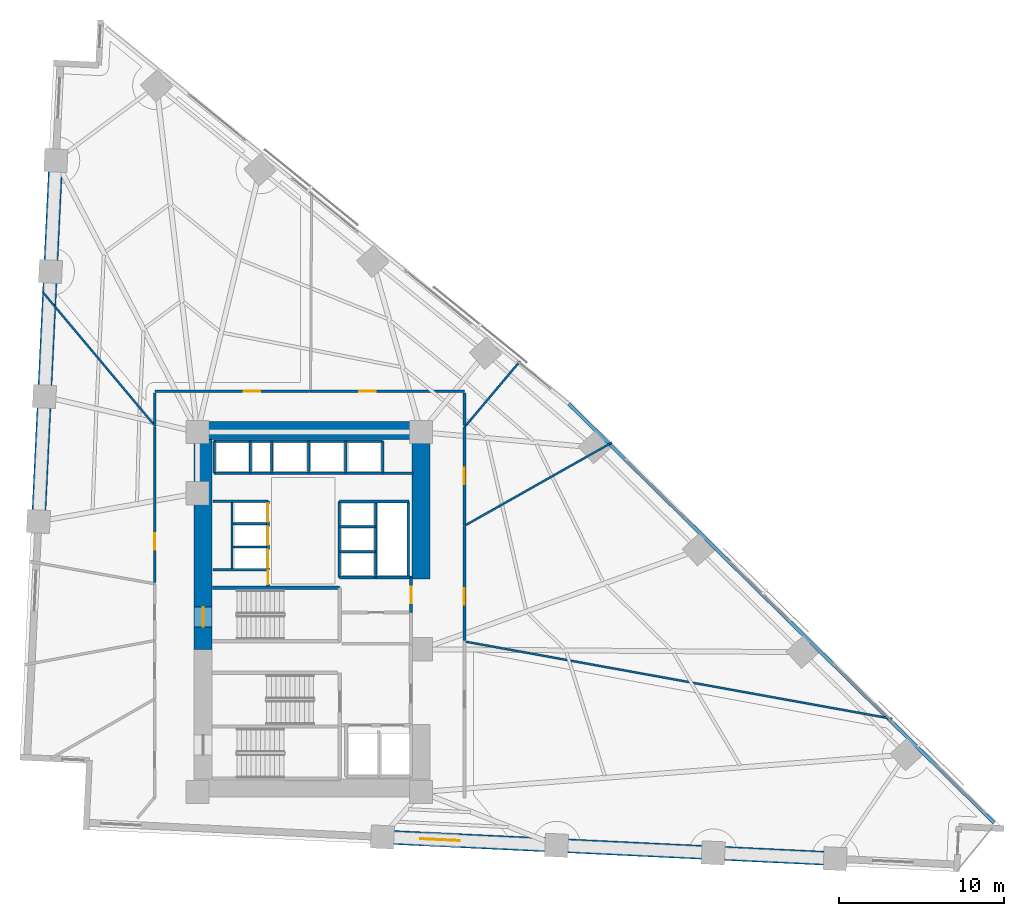
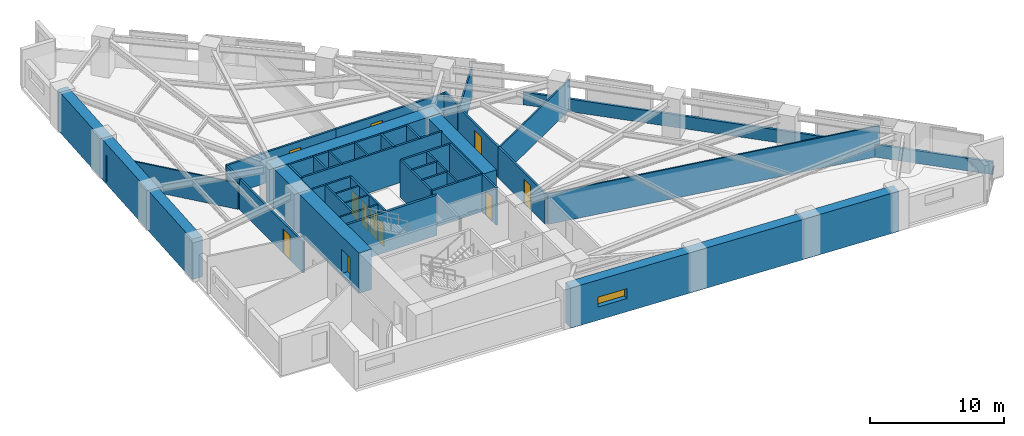
# One storey, part 14 of 17: 41 walls, 11 doors, 1 window, 12 openings.
"""IFC4 building model written with IfcOpenShell, lengths in metres."""

import ifcopenshell
import ifcopenshell.guid

model = None  # the IFC model being written
_history = None  # IfcOwnerHistory: only IFC2X3 demands one
_inside = {}  # id of a spatial element -> (the spatial element, [elements in it])
_under = {}  # id of a project, library or spatial element -> (it, [spatial elements below it])
_declared = {}  # id of a project -> (the project, [libraries it declares])
_typed = {}  # id of a type object -> (the type object, [elements of that type])
_made_of = {}  # id of a material, layer set ... -> (it, [elements and type objects made of it])


def new_model(schema):
    """Start an empty IFC model of exactly this schema.

    Asked for "IFC4X3", IfcOpenShell would pick the latest addendum, in which some entities
    have other attributes; the version numbers below select the first issue.
    IFC2X3 requires an IfcOwnerHistory on every rooted entity: one is made here for all.
    """
    global model, _history
    if schema == "IFC4X3":
        model = ifcopenshell.file(schema_version=(4, 3, 0, 0))
    else:
        model = ifcopenshell.file(schema=schema)
    _inside.clear()
    _under.clear()
    _declared.clear()
    _typed.clear()
    _made_of.clear()
    _history = None
    if model.schema == "IFC2X3":
        org = make("IfcOrganization", Name="unknown")
        user = make(
            "IfcPersonAndOrganization",
            ThePerson=make("IfcPerson", FamilyName="unknown"),
            TheOrganization=org,
        )
        app = make(
            "IfcApplication",
            ApplicationDeveloper=org,
            Version="unknown",
            ApplicationFullName="unknown",
            ApplicationIdentifier="unknown",
        )
        _history = make(
            "IfcOwnerHistory",
            OwningUser=user,
            OwningApplication=app,
            ChangeAction="ADDED",
            CreationDate=0,
        )
    return model


def make(cls, **values):
    """One entity of the class cls with the attributes given. An attribute that is None is left unset."""
    return model.create_entity(
        cls, **{name: value for name, value in values.items() if value is not None}
    )


def rooted(cls, **values):
    """An entity with a GlobalId (a new one), such as an element, a storey or a relation."""
    return make(cls, GlobalId=ifcopenshell.guid.new(), OwnerHistory=_history, **values)


def si_unit(unit_type, name, prefix=None):
    """IfcSIUnit, for example si_unit("LENGTHUNIT", "METRE", prefix="MILLI")."""
    return make("IfcSIUnit", UnitType=unit_type, Prefix=prefix, Name=name)


def assignment(units):
    """IfcUnitAssignment: the units of a project."""
    return None if units is None else make("IfcUnitAssignment", Units=units)


def point(xyz):
    """IfcCartesianPoint."""
    return None if xyz is None else make("IfcCartesianPoint", Coordinates=xyz)


def direction(xyz):
    """IfcDirection."""
    return None if xyz is None else make("IfcDirection", DirectionRatios=xyz)


def frame(location, z_axis=None, x_axis=None):
    """IfcAxis2Placement3D, a coordinate frame: its origin and axes. An axis left out is left unset."""
    return make(
        "IfcAxis2Placement3D",
        Location=point(location),
        Axis=direction(z_axis),
        RefDirection=direction(x_axis),
    )


def frame_2d(location, x_axis=None):
    """IfcAxis2Placement2D, a coordinate frame in the plane: its origin and x axis."""
    return make(
        "IfcAxis2Placement2D", Location=point(location), RefDirection=direction(x_axis)
    )


def origin():
    """The frame at (0, 0, 0) with its axes left unset."""
    return frame((0.0, 0.0, 0.0))


def place(relative_to, where):
    """IfcLocalPlacement: puts the frame where relative to a parent placement (None: the world)."""
    return make(
        "IfcLocalPlacement", PlacementRelTo=relative_to, RelativePlacement=where
    )


def context(
    kind, dimensions, precision=None, world=None, true_north=None, identifier=None
):
    """IfcGeometricRepresentationContext, for example the 3D "Model" context."""
    return make(
        "IfcGeometricRepresentationContext",
        ContextIdentifier=identifier,
        ContextType=kind,
        CoordinateSpaceDimension=dimensions,
        Precision=precision,
        WorldCoordinateSystem=world,
        TrueNorth=true_north,
    )


def subcontext(parent, identifier, kind, view, scale=None):
    """IfcGeometricRepresentationSubContext, for example "Body" below "Model"."""
    return make(
        "IfcGeometricRepresentationSubContext",
        ContextIdentifier=identifier,
        ContextType=kind,
        ParentContext=parent,
        TargetScale=scale,
        TargetView=view,
    )


def project(units=None, contexts=None):
    """IfcProject with its units and contexts."""
    return rooted(
        "IfcProject",
        Name="project",
        RepresentationContexts=contexts,
        UnitsInContext=assignment(units),
    )


def spatial(cls, under=None, at=None, **own):
    """A site, building, storey or space (cls), placed at a placement, below another one or the project."""
    s = rooted(cls, ObjectPlacement=at, **own)
    if under is not None:
        _under.setdefault(under.id(), (under, []))[1].append(s)
    return s


def profile(cls, at=None, kind="AREA", **sizes):
    """A parametric profile (cls). Its sizes go by their IFC names, for example OverallWidth=200.0."""
    return make(cls, ProfileType=kind, Position=at, **sizes)


def rectangle(**sizes):
    """IfcRectangleProfileDef."""
    return profile("IfcRectangleProfileDef", **sizes)


def extrude(swept, where, along, depth):
    """IfcExtrudedAreaSolid: the profile swept, set in the frame where, extruded along a direction by depth."""
    return make(
        "IfcExtrudedAreaSolid",
        SweptArea=swept,
        Position=where,
        ExtrudedDirection=direction(along),
        Depth=depth,
    )


def shape(context_of_items, identifier, shape_type, items):
    """IfcShapeRepresentation: the items that make up one representation, for example the "Body"."""
    return make(
        "IfcShapeRepresentation",
        ContextOfItems=context_of_items,
        RepresentationIdentifier=identifier,
        RepresentationType=shape_type,
        Items=items,
    )


def material(Name=None, Category=None):
    """IfcMaterial."""
    return make("IfcMaterial", Name=Name, Category=Category)


def layer(
    of_material, thickness, ventilated=None, Name=None, Category=None, Priority=None
):
    """IfcMaterialLayer: one layer of a wall or slab, of a material (None: an air gap)."""
    return make(
        "IfcMaterialLayer",
        Material=of_material,
        LayerThickness=thickness,
        IsVentilated=ventilated,
        Name=Name,
        Category=Category,
        Priority=Priority,
    )


def layer_set(layers, Name=None):
    """IfcMaterialLayerSet."""
    return make("IfcMaterialLayerSet", MaterialLayers=layers, LayerSetName=Name)


def made_of(thing, what):
    """Note that an element or type object is made of a material, layer set ...; save() writes the relation."""
    if what is not None:
        _made_of.setdefault(what.id(), (what, []))[1].append(thing)
    return thing


def type_object(cls, material=None, **own):
    """A type object (cls), such as IfcWallType, which elements share."""
    return made_of(rooted(cls, **own), material)


def element(
    cls,
    number,
    at=None,
    inside=None,
    cuts=None,
    type_object=None,
    material=None,
    context=None,
    identifier="Body",
    shape_type=None,
    held_by="IfcProductDefinitionShape",
    body=None,
    shapes=None,
    **own,
):
    """One element of the class cls, such as IfcWall. Its Tag is "e" and its number.

    at: its placement. inside: the storey or other place that contains it. cuts: it is an
    opening in that element (IfcRelVoidsElement). A single representation is given by context,
    identifier, shape_type and body (its items); several are given by shapes. held_by: the class
    of the entity that holds the representations. save() writes the other relations.
    """
    e = rooted(cls, Tag="e%d" % number, ObjectPlacement=at, **own)
    if body is not None:
        shapes = [shape(context, identifier, shape_type, body)]
    if shapes is not None:
        e.Representation = make(held_by, Representations=shapes)
    if inside is not None:
        _inside.setdefault(inside.id(), (inside, []))[1].append(e)
    if cuts is not None:
        rooted(
            "IfcRelVoidsElement", RelatingBuildingElement=cuts, RelatedOpeningElement=e
        )
    if type_object is not None:
        _typed.setdefault(type_object.id(), (type_object, []))[1].append(e)
    return made_of(e, material)


def fill(opening, filler):
    """IfcRelFillsElement: the door or window that sits in an opening."""
    return rooted(
        "IfcRelFillsElement",
        RelatingOpeningElement=opening,
        RelatedBuildingElement=filler,
    )


def aggregate(whole, parts):
    """IfcRelAggregates: a whole, such as a stair, and the parts it consists of."""
    return rooted("IfcRelAggregates", RelatingObject=whole, RelatedObjects=parts)


def save(model, path):
    """Write the relations noted so far, then the file.

    IfcRelAggregates (storeys below a building ...), IfcRelContainedInSpatialStructure (elements
    in a storey), IfcRelDefinesByType, IfcRelAssociatesMaterial and IfcRelDeclares: one each for
    every whole, place, type object, material and project.
    """
    for whole, parts in _under.values():
        aggregate(whole, parts)
    for where, things in _inside.values():
        rooted(
            "IfcRelContainedInSpatialStructure",
            RelatedElements=things,
            RelatingStructure=where,
        )
    for kind, things in _typed.values():
        rooted("IfcRelDefinesByType", RelatedObjects=things, RelatingType=kind)
    for what, things in _made_of.values():
        rooted("IfcRelAssociatesMaterial", RelatedObjects=things, RelatingMaterial=what)
    for by, libraries in _declared.values():
        rooted("IfcRelDeclares", RelatingContext=by, RelatedDefinitions=libraries)
    model.write(path)


model = new_model("IFC4")

# Units and contexts
model_context = context("Model", 3, precision=1e-05, world=origin(), true_north=direction((0.0, 1.0)))
body_context = subcontext(model_context, "Body", "Model", "MODEL_VIEW")
ifc_project = project(units=[si_unit("LENGTHUNIT", "METRE"), si_unit("AREAUNIT", "SQUARE_METRE"), si_unit("VOLUMEUNIT", "CUBIC_METRE"), si_unit("PLANEANGLEUNIT", "RADIAN"), si_unit("MASSUNIT", "GRAM", prefix="KILO")], contexts=[model_context])

# Site, building, storey
site_placement = place(None, origin())
site = spatial("IfcSite", under=ifc_project, at=site_placement, CompositionType="ELEMENT")
building_placement = place(site_placement, origin())
building = spatial("IfcBuilding", under=site, at=building_placement, Name="Narakoshi Arena Tower", CompositionType="ELEMENT")
storey_placement = place(building_placement, frame((0.0, 0.0, 37.5)))
storey = spatial("IfcBuildingStorey", under=building, at=storey_placement, Name="L09", CompositionType="ELEMENT", Elevation=37.5)

# Wall, opening, door
ifc_material_1 = material(Name="Concrete C60/75", Category="concrete")
ifc_layer_1 = layer(ifc_material_1, 1.10009765625)
ifc_layer_set_1 = layer_set([ifc_layer_1], Name="Concrete C60/75")
wall_type_1 = type_object("IfcWallType", Name="WL-CORE-1100", PredefinedType="SHEAR", material=ifc_layer_set_1)
wall_1_placement = place(storey_placement, frame((72.35009765625, 43.35009765625, -0.260009765625), z_axis=(0.0, 0.0, 1.0), x_axis=(0.0, 1.0, 0.0)))
wall_1 = element("IfcWall", 1, at=wall_1_placement, inside=storey, type_object=wall_type_1, Name="L09 Main Core Shear Wall CW-MN-W", PredefinedType="SHEAR", context=body_context, shape_type="SweptSolid", body=[
    extrude(rectangle(XDim=12.699951171875, YDim=1.10009765625, at=frame_2d((6.35009765625, 0.0))), origin(), (0.0, 0.0, 1.0), 3.659912109375),
])
opening_1_placement = place(wall_1_placement, frame((1.35009765625, 0.0, 0.260009765625)))
opening_1 = element("IfcOpeningElement", 2, at=opening_1_placement, cuts=wall_1, Name="Opening D-03", PredefinedType="OPENING", context=body_context, shape_type="SweptSolid", body=[
    extrude(rectangle(XDim=1.199951171875, YDim=2.199951171875, at=frame_2d((0.60009765625, 1.10009765625))), frame((0.0, 0.56005859375, 0.0), z_axis=(0.0, -1.0, 0.0), x_axis=(1.0, 0.0, 0.0)), (0.0, 0.0, 1.0), 1.1201171875),
])
ifc_material_2 = material(Name="Painted galvanized steel", Category="steel")
door_type_1 = type_object("IfcDoorType", Name="DR-STR-1200", OperationType="NOTDEFINED", PredefinedType="USERDEFINED", material=ifc_material_2)
door_1_placement = place(opening_1_placement, frame((1.199951171875, 0.0, 0.0), z_axis=(0.0, 0.0, 1.0), x_axis=(-1.0, 0.0, 0.0)))
door_1 = element("IfcDoor", 3, at=door_1_placement, inside=storey, type_object=door_type_1, Name="DR-L09-007", ObjectType="EXITDOOR", OperationType="SINGLE_SWING_LEFT", OverallHeight=2.199951171875, OverallWidth=1.199951171875, PredefinedType="USERDEFINED", context=body_context, shape_type="SweptSolid", body=[
    extrude(rectangle(XDim=1.199951171875, YDim=2.199951171875, at=frame_2d((0.60009765625, 1.10009765625))), frame((0.0, 0.02490234375, 0.0), z_axis=(0.0, -1.0, 0.0), x_axis=(1.0, 0.0, 0.0)), (0.0, 0.0, 1.0), 0.050048828125),
])
fill(opening_1, door_1)

# Walls
wall_2_placement = place(storey_placement, frame((71.800048828125, 56.60009765625, -0.260009765625), z_axis=(0.0, 0.0, 1.0), x_axis=(1.0, 0.0, 0.0)))
element("IfcWall", 4, at=wall_2_placement, inside=storey, type_object=wall_type_1, Name="L09 Main Core Shear Wall CW-MN-N", PredefinedType="SHEAR", context=body_context, shape_type="SweptSolid", body=[
    extrude(rectangle(XDim=14.300048828125, YDim=1.10009765625, at=frame_2d((7.14990234375, 0.0))), origin(), (0.0, 0.0, 1.0), 3.659912109375),
])
wall_3_placement = place(storey_placement, frame((85.550048828125, 47.60009765625, -0.260009765625), z_axis=(0.0, 0.0, 1.0), x_axis=(0.0, 1.0, 0.0)))
element("IfcWall", 5, at=wall_3_placement, inside=storey, type_object=wall_type_1, Name="L09 Main Core Shear Wall CW-MN-E", PredefinedType="SHEAR", context=body_context, shape_type="SweptSolid", body=[
    extrude(rectangle(XDim=8.449951171875, YDim=1.10009765625, at=frame_2d((4.22509765625, 0.0))), origin(), (0.0, 0.0, 1.0), 3.659912109375),
])

# Wall, opening, door
ifc_material_3 = material(Name="Gypsum plasterboard fire-rated partition")
ifc_layer_2 = layer(ifc_material_3, 0.1650390625)
ifc_layer_set_2 = layer_set([ifc_layer_2], Name="Gypsum plasterboard fire-rated partition")
wall_type_2 = type_object("IfcWallType", Name="WL-CORR-165", PredefinedType="PARTITIONING", material=ifc_layer_set_2)
wall_4_placement = place(storey_placement, frame((84.949951171875, 45.580078125, 0.0), z_axis=(0.0, 0.0, 1.0), x_axis=(0.0, 1.0, 0.0)))
wall_4 = element("IfcWall", 6, at=wall_4_placement, inside=storey, type_object=wall_type_2, Name="L09 Core Wall CPAS-E", PredefinedType="PARTITIONING", context=body_context, shape_type="SweptSolid", body=[
    extrude(rectangle(XDim=2.119873046875, YDim=0.1650390625, at=frame_2d((1.06005859375, 0.0))), origin(), (0.0, 0.0, 1.0), 3.39990234375),
])
opening_2_placement = place(wall_4_placement, frame((0.56005859375, 0.0, 0.0)))
opening_2 = element("IfcOpeningElement", 7, at=opening_2_placement, cuts=wall_4, Name="Opening D-06", PredefinedType="OPENING", context=body_context, shape_type="SweptSolid", body=[
    extrude(rectangle(XDim=1.0, YDim=2.199951171875, at=frame_2d((0.5, 1.10009765625))), frame((0.0, 0.092529296875, 0.0), z_axis=(0.0, -1.0, 0.0), x_axis=(1.0, 0.0, 0.0)), (0.0, 0.0, 1.0), 0.18505859375),
])
ifc_material_4 = material(Name="Stained oak solid-core timber", Category="wood")
door_type_2 = type_object("IfcDoorType", Name="DR-OFF-1000", OperationType="NOTDEFINED", PredefinedType="DOOR", material=ifc_material_4)
door_2_placement = place(opening_2_placement, frame((1.0, 0.0, 0.0), z_axis=(0.0, 0.0, 1.0), x_axis=(-1.0, 0.0, 0.0)))
door_2 = element("IfcDoor", 8, at=door_2_placement, inside=storey, type_object=door_type_2, Name="DR-L09-008", OperationType="SINGLE_SWING_LEFT", OverallHeight=2.199951171875, OverallWidth=1.0, PredefinedType="DOOR", context=body_context, shape_type="SweptSolid", body=[
    extrude(rectangle(XDim=1.0, YDim=2.199951171875, at=frame_2d((0.5, 1.10009765625))), frame((0.0, 0.02490234375, 0.0), z_axis=(0.0, -1.0, 0.0), x_axis=(1.0, 0.0, 0.0)), (0.0, 0.0, 1.0), 0.050048828125),
])
fill(opening_2, door_2)

wall_5_placement = place(storey_placement, frame((88.177978515625, 43.882568359375, 0.0), z_axis=(0.0, 0.0, 1.0), x_axis=(0.0, 1.0, 0.0)))
wall_5 = element("IfcWall", 9, at=wall_5_placement, inside=storey, type_object=wall_type_2, Name="L09 Corridor Partition 05-1", PredefinedType="PARTITIONING", context=body_context, shape_type="SweptSolid", body=[
    extrude(rectangle(XDim=6.977294921875, YDim=0.1650390625, at=frame_2d((3.48876953125, 0.0))), origin(), (0.0, 0.0, 1.0), 2.784912109375),
])
opening_3_placement = place(wall_5_placement, frame((2.152099609375, 0.0, 0.0)))
opening_3 = element("IfcOpeningElement", 10, at=opening_3_placement, cuts=wall_5, Name="Opening D-06", PredefinedType="OPENING", context=body_context, shape_type="SweptSolid", body=[
    extrude(rectangle(XDim=1.0, YDim=2.199951171875, at=frame_2d((0.5, 1.10009765625))), frame((0.0, 0.092529296875, 0.0), z_axis=(0.0, -1.0, 0.0), x_axis=(1.0, 0.0, 0.0)), (0.0, 0.0, 1.0), 0.18505859375),
])
door_3_placement = place(opening_3_placement, frame((1.0, 0.0, 0.0), z_axis=(0.0, 0.0, 1.0), x_axis=(-1.0, 0.0, 0.0)))
door_3 = element("IfcDoor", 11, at=door_3_placement, inside=storey, type_object=door_type_2, Name="DR-L09-018", OperationType="SINGLE_SWING_LEFT", OverallHeight=2.199951171875, OverallWidth=1.0, PredefinedType="DOOR", context=body_context, shape_type="SweptSolid", body=[
    extrude(rectangle(XDim=1.0, YDim=2.199951171875, at=frame_2d((0.5, 1.10009765625))), frame((0.0, 0.02490234375, 0.0), z_axis=(0.0, -1.0, 0.0), x_axis=(1.0, 0.0, 0.0)), (0.0, 0.0, 1.0), 0.050048828125),
])
fill(opening_3, door_3)

wall_6_placement = place(storey_placement, frame((88.177978515625, 50.88720703125, 0.0), z_axis=(0.0, 0.0, 1.0), x_axis=(0.0, 1.0, 0.0)))
wall_6 = element("IfcWall", 12, at=wall_6_placement, inside=storey, type_object=wall_type_2, Name="L09 Corridor Partition 06-1", PredefinedType="PARTITIONING", context=body_context, shape_type="SweptSolid", body=[
    extrude(rectangle(XDim=5.93017578125, YDim=0.1650390625, at=frame_2d((2.965087890625, 0.0))), origin(), (0.0, 0.0, 1.0), 2.784912109375),
])
opening_4_placement = place(wall_6_placement, frame((2.465087890625, 0.0, 0.0)))
opening_4 = element("IfcOpeningElement", 13, at=opening_4_placement, cuts=wall_6, Name="Opening D-06", PredefinedType="OPENING", context=body_context, shape_type="SweptSolid", body=[
    extrude(rectangle(XDim=1.0, YDim=2.199951171875, at=frame_2d((0.5, 1.10009765625))), frame((0.0, 0.092529296875, 0.0), z_axis=(0.0, -1.0, 0.0), x_axis=(1.0, 0.0, 0.0)), (0.0, 0.0, 1.0), 0.18505859375),
])
door_4_placement = place(opening_4_placement, frame((1.0, 0.0, 0.0), z_axis=(0.0, 0.0, 1.0), x_axis=(-1.0, 0.0, 0.0)))
door_4 = element("IfcDoor", 14, at=door_4_placement, inside=storey, type_object=door_type_2, Name="DR-L09-019", OperationType="SINGLE_SWING_RIGHT", OverallHeight=2.199951171875, OverallWidth=1.0, PredefinedType="DOOR", context=body_context, shape_type="SweptSolid", body=[
    extrude(rectangle(XDim=1.0, YDim=2.199951171875, at=frame_2d((0.5, 1.10009765625))), frame((0.0, 0.02490234375, 0.0), z_axis=(0.0, -1.0, 0.0), x_axis=(1.0, 0.0, 0.0)), (0.0, 0.0, 1.0), 0.050048828125),
])
fill(opening_4, door_4)

wall_7_placement = place(storey_placement, frame((88.177978515625, 58.972412109375, 0.0), z_axis=(0.0, 0.0, 1.0), x_axis=(-1.0, 0.0, 0.0)))
wall_7 = element("IfcWall", 15, at=wall_7_placement, inside=storey, type_object=wall_type_2, Name="L09 Corridor Partition 07-1", PredefinedType="PARTITIONING", context=body_context, shape_type="SweptSolid", body=[
    extrude(rectangle(XDim=9.354248046875, YDim=0.1650390625, at=frame_2d((4.67724609375, 0.0))), origin(), (0.0, 0.0, 1.0), 2.784912109375),
])
opening_5_placement = place(wall_7_placement, frame((5.370361328125, 0.0, 0.0)))
opening_5 = element("IfcOpeningElement", 16, at=opening_5_placement, cuts=wall_7, Name="Opening D-06", PredefinedType="OPENING", context=body_context, shape_type="SweptSolid", body=[
    extrude(rectangle(XDim=1.0, YDim=2.199951171875, at=frame_2d((0.5, 1.10009765625))), frame((0.0, 0.092529296875, 0.0), z_axis=(0.0, -1.0, 0.0), x_axis=(1.0, 0.0, 0.0)), (0.0, 0.0, 1.0), 0.18505859375),
])
door_5_placement = place(opening_5_placement, frame((1.0, 0.0, 0.0), z_axis=(0.0, 0.0, 1.0), x_axis=(-1.0, 0.0, 0.0)))
door_5 = element("IfcDoor", 17, at=door_5_placement, inside=storey, type_object=door_type_2, Name="DR-L09-020", OperationType="SINGLE_SWING_LEFT", OverallHeight=2.199951171875, OverallWidth=1.0, PredefinedType="DOOR", context=body_context, shape_type="SweptSolid", body=[
    extrude(rectangle(XDim=1.0, YDim=2.199951171875, at=frame_2d((0.5, 1.10009765625))), frame((0.0, 0.02490234375, 0.0), z_axis=(0.0, -1.0, 0.0), x_axis=(1.0, 0.0, 0.0)), (0.0, 0.0, 1.0), 0.050048828125),
])
fill(opening_5, door_5)

# Wall
wall_8_placement = place(storey_placement, frame((88.177978515625, 56.91064453125, 0.0), z_axis=(0.0, 0.0, 1.0), x_axis=(0.0, 1.0, 0.0)))
element("IfcWall", 18, at=wall_8_placement, inside=storey, type_object=wall_type_2, Name="L09 Corridor Partition 07-2", PredefinedType="PARTITIONING", context=body_context, shape_type="SweptSolid", body=[
    extrude(rectangle(XDim=1.96728515625, YDim=0.1650390625, at=frame_2d((0.983642578125, 0.0))), origin(), (0.0, 0.0, 1.0), 2.93505859375),
])

# Wall, opening, door
wall_9_placement = place(storey_placement, frame((78.7998046875, 58.972412109375, 0.0), z_axis=(0.0, 0.0, 1.0), x_axis=(-1.0, 0.0, 0.0)))
wall_9 = element("IfcWall", 19, at=wall_9_placement, inside=storey, type_object=wall_type_2, Name="L09 Corridor Partition 08-1", PredefinedType="PARTITIONING", context=body_context, shape_type="SweptSolid", body=[
    extrude(rectangle(XDim=9.372314453125, YDim=0.1650390625, at=frame_2d((4.68603515625, 0.0))), origin(), (0.0, 0.0, 1.0), 2.784912109375),
])
opening_6_placement = place(wall_9_placement, frame((2.990234375, 0.0, 0.0)))
opening_6 = element("IfcOpeningElement", 20, at=opening_6_placement, cuts=wall_9, Name="Opening D-06", PredefinedType="OPENING", context=body_context, shape_type="SweptSolid", body=[
    extrude(rectangle(XDim=1.0, YDim=2.199951171875, at=frame_2d((0.5, 1.10009765625))), frame((0.0, 0.092529296875, 0.0), z_axis=(0.0, -1.0, 0.0), x_axis=(1.0, 0.0, 0.0)), (0.0, 0.0, 1.0), 0.18505859375),
])
door_6_placement = place(opening_6_placement, frame((1.0, 0.0, 0.0), z_axis=(0.0, 0.0, 1.0), x_axis=(-1.0, 0.0, 0.0)))
door_6 = element("IfcDoor", 21, at=door_6_placement, inside=storey, type_object=door_type_2, Name="DR-L09-021", OperationType="SINGLE_SWING_RIGHT", OverallHeight=2.199951171875, OverallWidth=1.0, PredefinedType="DOOR", context=body_context, shape_type="SweptSolid", body=[
    extrude(rectangle(XDim=1.0, YDim=2.199951171875, at=frame_2d((0.5, 1.10009765625))), frame((0.0, 0.02490234375, 0.0), z_axis=(0.0, -1.0, 0.0), x_axis=(1.0, 0.0, 0.0)), (0.0, 0.0, 1.0), 0.050048828125),
])
fill(opening_6, door_6)

# Wall
wall_10_placement = place(storey_placement, frame((69.427490234375, 58.8779296875, 0.0), z_axis=(0.0, 0.0, 1.0), x_axis=(0.0, -1.0, 0.0)))
element("IfcWall", 22, at=wall_10_placement, inside=storey, type_object=wall_type_2, Name="L09 Corridor Partition 08-2", PredefinedType="PARTITIONING", context=body_context, shape_type="SweptSolid", body=[
    extrude(rectangle(XDim=1.989990234375, YDim=0.1650390625, at=frame_2d((0.9951171875, 0.0))), origin(), (0.0, 0.0, 1.0), 2.784912109375),
])

# Wall, opening, door
wall_11_placement = place(storey_placement, frame((69.427490234375, 56.850341796875, 0.0), z_axis=(0.0, 0.0, 1.0), x_axis=(0.0, -1.0, 0.0)))
wall_11 = element("IfcWall", 23, at=wall_11_placement, inside=storey, type_object=wall_type_2, Name="L09 Corridor Partition 09-1", PredefinedType="PARTITIONING", context=body_context, shape_type="SweptSolid", body=[
    extrude(rectangle(XDim=9.447998046875, YDim=0.1650390625, at=frame_2d((4.72412109375, 0.0))), origin(), (0.0, 0.0, 1.0), 2.784912109375),
])
opening_7_placement = place(wall_11_placement, frame((6.4775390625, 0.0, 0.0)))
opening_7 = element("IfcOpeningElement", 24, at=opening_7_placement, cuts=wall_11, Name="Opening D-06", PredefinedType="OPENING", context=body_context, shape_type="SweptSolid", body=[
    extrude(rectangle(XDim=1.0, YDim=2.199951171875, at=frame_2d((0.5, 1.10009765625))), frame((0.0, 0.092529296875, 0.0), z_axis=(0.0, -1.0, 0.0), x_axis=(1.0, 0.0, 0.0)), (0.0, 0.0, 1.0), 0.18505859375),
])
door_7_placement = place(opening_7_placement, frame((1.0, 0.0, 0.0), z_axis=(0.0, 0.0, 1.0), x_axis=(-1.0, 0.0, 0.0)))
door_7 = element("IfcDoor", 25, at=door_7_placement, inside=storey, type_object=door_type_2, Name="DR-L09-022", OperationType="SINGLE_SWING_LEFT", OverallHeight=2.199951171875, OverallWidth=1.0, PredefinedType="DOOR", context=body_context, shape_type="SweptSolid", body=[
    extrude(rectangle(XDim=1.0, YDim=2.199951171875, at=frame_2d((0.5, 1.10009765625))), frame((0.0, 0.02490234375, 0.0), z_axis=(0.0, -1.0, 0.0), x_axis=(1.0, 0.0, 0.0)), (0.0, 0.0, 1.0), 0.050048828125),
])
fill(opening_7, door_7)

# Wall, opening, window
ifc_layer_3 = layer(ifc_material_1, 0.85009765625)
ifc_layer_set_3 = layer_set([ifc_layer_3], Name="Concrete C60/75")
wall_type_3 = type_object("IfcWallType", Name="WL-LEG-850", PredefinedType="SHEAR", material=ifc_layer_set_3)
wall_12_placement = place(storey_placement, frame((83.2119140625, 31.979248046875, -0.260009765625), z_axis=(0.0, 0.0, 1.0), x_axis=(0.998848235141, -0.047981279227, 0.0)))
wall_12 = element("IfcWall", 26, at=wall_12_placement, inside=storey, type_object=wall_type_3, Name="L09 Architectural Concrete Structural Wall LEGA-2", PredefinedType="SHEAR", context=body_context, shape_type="SweptSolid", body=[
    extrude(rectangle(XDim=27.456298828125, YDim=0.85009765625, at=frame_2d((13.72802734375, 0.0))), origin(), (0.0, 0.0, 1.0), 3.659912109375),
])
opening_8_placement = place(wall_12_placement, frame((2.300048828125, 0.0, 1.199951171875)))
opening_8 = element("IfcOpeningElement", 27, at=opening_8_placement, cuts=wall_12, Name="Opening WN-01", PredefinedType="OPENING", context=body_context, shape_type="SweptSolid", body=[
    extrude(rectangle(XDim=2.39990234375, YDim=0.89990234375, at=frame_2d((1.199951171875, 0.449951171875))), frame((0.0, 0.43505859375, 0.0), z_axis=(0.0, -1.0, 0.0), x_axis=(1.0, 0.0, 0.0)), (0.0, 0.0, 1.0), 0.8701171875),
])
ifc_material_5 = material(Name="Bronze-tinted low-E laminated glass", Category="glass")
window_type = type_object("IfcWindowType", Name="WIN-SLT-24x09", PartitioningType="SINGLE_PANEL", PredefinedType="WINDOW", material=ifc_material_5)
window_placement = place(opening_8_placement, origin())
window = element("IfcWindow", 28, at=window_placement, inside=storey, type_object=window_type, Name="L09 LEGA2 Horizontal Slot Window 1", OverallHeight=0.89990234375, OverallWidth=2.39990234375, PartitioningType="SINGLE_PANEL", PredefinedType="WINDOW", context=body_context, shape_type="SweptSolid", body=[
    extrude(rectangle(XDim=2.39990234375, YDim=0.89990234375, at=frame_2d((1.199951171875, 0.449951171875))), frame((0.0, 0.030029296875, 0.0), z_axis=(0.0, -1.0, 0.0), x_axis=(1.0, 0.0, 0.0)), (0.0, 0.0, 1.0), 0.06005859375),
])
fill(opening_8, window)

# Walls
wall_13_placement = place(storey_placement, frame((63.42822265625, 72.95654296875, -0.260009765625), z_axis=(0.0, 0.0, 1.0), x_axis=(-0.047976309476, -0.998848473858, 0.0)))
element("IfcWall", 29, at=wall_13_placement, inside=storey, type_object=wall_type_3, Name="L09 Architectural Concrete Structural Wall LEGB-2", PredefinedType="SHEAR", context=body_context, shape_type="SweptSolid", body=[
    extrude(rectangle(XDim=21.891845703125, YDim=0.85009765625, at=frame_2d((10.94580078125, 0.0))), origin(), (0.0, 0.0, 1.0), 3.659912109375),
])
ifc_material_6 = material(Name="Precast concrete C45/55", Category="concrete")
ifc_layer_4 = layer(ifc_material_6, 0.25)
ifc_layer_set_4 = layer_set([ifc_layer_4], Name="Precast concrete C45/55")
wall_type_4 = type_object("IfcWallType", Name="WL-PARA-250", PredefinedType="PARAPET", material=ifc_layer_set_4)
wall_14_placement = place(storey_placement, frame((120.254150390625, 32.847900390625, 0.0), z_axis=(0.0, 0.0, 1.0), x_axis=(-0.71254385441, 0.701627576099, 0.0)))
element("IfcWall", 30, at=wall_14_placement, inside=storey, type_object=wall_type_4, Name="L09 Hypotenuse Sill Upstand Parapet 1-01", PredefinedType="PARAPET", context=body_context, shape_type="SweptSolid", body=[
    extrude(rectangle(XDim=36.1416015625, YDim=0.199951171875, at=frame_2d((18.07080078125, 0.0))), origin(), (0.0, 0.0, 1.0), 1.14990234375),
])
ifc_layer_5 = layer(ifc_material_3, 0.125)
ifc_layer_set_5 = layer_set([ifc_layer_5], Name="Gypsum plasterboard fire-rated partition")
wall_type_5 = type_object("IfcWallType", Name="WL-PART-125", PredefinedType="PARTITIONING", material=ifc_layer_set_5)
wall_15_placement = place(storey_placement, frame((88.272705078125, 43.804443359375, 0.0), z_axis=(0.0, 0.0, 1.0), x_axis=(0.984044928711, -0.177920145793, 0.0)))
element("IfcWall", 31, at=wall_15_placement, inside=storey, type_object=wall_type_5, Name="L09 Inter-Room Partition 04-05", PredefinedType="PARTITIONING", context=body_context, shape_type="SweptSolid", body=[
    extrude(rectangle(XDim=26.2431640625, YDim=0.125, at=frame_2d((13.12158203125, 0.0))), origin(), (0.0, 0.0, 1.0), 2.784912109375),
])
wall_16_placement = place(storey_placement, frame((88.235595703125, 50.85986328125, 0.0), z_axis=(0.0, 0.0, 1.0), x_axis=(0.870839038487, 0.491568275062, 0.0)))
element("IfcWall", 32, at=wall_16_placement, inside=storey, type_object=wall_type_5, Name="L09 Inter-Room Partition 05-06", PredefinedType="PARTITIONING", context=body_context, shape_type="SweptSolid", body=[
    extrude(rectangle(XDim=10.185546875, YDim=0.125, at=frame_2d((5.0927734375, 0.0))), origin(), (0.0, 0.0, 1.0), 2.784912109375),
])
wall_17_placement = place(storey_placement, frame((88.197021484375, 56.8173828125, 0.0), z_axis=(0.0, 0.0, 1.0), x_axis=(0.643765110754, 0.765223158416, 0.0)))
element("IfcWall", 33, at=wall_17_placement, inside=storey, type_object=wall_type_5, Name="L09 Inter-Room Partition 06-07", PredefinedType="PARTITIONING", context=body_context, shape_type="SweptSolid", body=[
    extrude(rectangle(XDim=5.214111328125, YDim=0.125, at=frame_2d((2.60693359375, 0.0))), origin(), (0.0, 0.0, 1.0), 2.784912109375),
])
wall_18_placement = place(storey_placement, frame((69.3330078125, 57.000732421875, 0.0), z_axis=(0.0, 0.0, 1.0), x_axis=(-0.642521531332, 0.766267630645, 0.0)))
element("IfcWall", 34, at=wall_18_placement, inside=storey, type_object=wall_type_5, Name="L09 Inter-Room Partition 08-09", PredefinedType="PARTITIONING", context=body_context, shape_type="SweptSolid", body=[
    extrude(rectangle(XDim=10.446533203125, YDim=0.125, at=frame_2d((5.22314453125, 0.0))), origin(), (0.0, 0.0, 1.0), 2.385009765625),
])
ifc_material_7 = material(Name="Concrete C40/50", Category="concrete")
ifc_layer_6 = layer(ifc_material_7, 0.280029296875)
ifc_layer_set_6 = layer_set([ifc_layer_6], Name="Concrete C40/50")
wall_type_6 = type_object("IfcWallType", Name="WL-RISER-280", PredefinedType="PLUMBINGWALL", material=ifc_layer_set_6)
wall_19_placement = place(storey_placement, frame((72.949951171875, 48.159912109375, 0.0), z_axis=(0.0, 0.0, 1.0), x_axis=(1.0, 0.0, 0.0)))
element("IfcWall", 35, at=wall_19_placement, inside=storey, type_object=wall_type_6, Name="L09 Core Wall LR-S0", PredefinedType="PLUMBINGWALL", context=body_context, shape_type="SweptSolid", body=[
    extrude(rectangle(XDim=3.239990234375, YDim=0.139892578125, at=frame_2d((1.6201171875, 0.0))), origin(), (0.0, 0.0, 1.0), 3.39990234375),
])
for number, where, z_axis, x_axis, name in (
    (36, (74.14990234375, 49.550048828125, 0.0), (0.0, 0.0, 1.0), (1.0, 0.0, 0.0), "L09 Core Wall LR-D1"),
    (37, (74.14990234375, 50.949951171875, 0.0), (0.0, 0.0, 1.0), (1.0, 0.0, 0.0), "L09 Core Wall LR-D2"),
):
    element("IfcWall", number, at=place(storey_placement, frame(where, z_axis=z_axis, x_axis=x_axis)), inside=storey, type_object=wall_type_6, Name=name, PredefinedType="PLUMBINGWALL", context=body_context, shape_type="SweptSolid", body=[
        extrude(rectangle(XDim=2.0400390625, YDim=0.139892578125, at=frame_2d((1.02001953125, 0.0))), origin(), (0.0, 0.0, 1.0), 3.39990234375),
    ])
wall_20_placement = place(storey_placement, frame((74.10009765625, 48.159912109375, 0.0), z_axis=(0.0, 0.0, 1.0), x_axis=(0.0, 1.0, 0.0)))
element("IfcWall", 38, at=wall_20_placement, inside=storey, type_object=wall_type_6, Name="L09 Core Wall LR-W", PredefinedType="PLUMBINGWALL", context=body_context, shape_type="SweptSolid", body=[
    extrude(rectangle(XDim=4.16015625, YDim=0.139892578125, at=frame_2d((2.080078125, 0.0))), origin(), (0.0, 0.0, 1.0), 3.39990234375),
])
for number, where, z_axis, x_axis, name in (
    (39, (80.60009765625, 49.260009765625, 0.0), (0.0, 0.0, 1.0), (1.0, 0.0, 0.0), "L09 Core Wall MR-D1"),
    (40, (80.60009765625, 50.780029296875, 0.0), (0.0, 0.0, 1.0), (1.0, 0.0, 0.0), "L09 Core Wall MR-D2"),
):
    element("IfcWall", number, at=place(storey_placement, frame(where, z_axis=z_axis, x_axis=x_axis)), inside=storey, type_object=wall_type_6, Name=name, PredefinedType="PLUMBINGWALL", context=body_context, shape_type="SweptSolid", body=[
        extrude(rectangle(XDim=2.199951171875, YDim=0.14990234375, at=frame_2d((1.10009765625, 0.0))), origin(), (0.0, 0.0, 1.0), 3.39990234375),
    ])
wall_21_placement = place(storey_placement, frame((82.800048828125, 47.699951171875, 0.0), z_axis=(0.0, 0.0, 1.0), x_axis=(0.0, 1.0, 0.0)))
element("IfcWall", 41, at=wall_21_placement, inside=storey, type_object=wall_type_6, Name="L09 Core Wall MR-E", PredefinedType="PLUMBINGWALL", context=body_context, shape_type="SweptSolid", body=[
    extrude(rectangle(XDim=4.60009765625, YDim=0.14990234375, at=frame_2d((2.300048828125, 0.0))), origin(), (0.0, 0.0, 1.0), 3.39990234375),
])
for number, where, z_axis, x_axis, name in (
    (42, (73.02001953125, 54.02001953125, 0.0), (0.0, 0.0, 1.0), (0.0, 1.0, 0.0), "L09 Core Wall OBS-W"),
    (43, (75.219970703125, 54.02001953125, 0.0), (0.0, 0.0, 1.0), (0.0, 1.0, 0.0), "L09 Core Wall OBS-M"),
):
    element("IfcWall", number, at=place(storey_placement, frame(where, z_axis=z_axis, x_axis=x_axis)), inside=storey, type_object=wall_type_6, Name=name, PredefinedType="PLUMBINGWALL", context=body_context, shape_type="SweptSolid", body=[
        extrude(rectangle(XDim=1.93994140625, YDim=0.14990234375, at=frame_2d((0.969970703125, 0.0))), origin(), (0.0, 0.0, 1.0), 3.39990234375),
    ])
for number, where, z_axis, x_axis, name in (
    (44, (78.75, 54.02001953125, 0.0), (0.0, 0.0, 1.0), (0.0, 1.0, 0.0), "L09 Core Wall HR-D1"),
    (45, (81.0, 54.02001953125, 0.0), (0.0, 0.0, 1.0), (0.0, 1.0, 0.0), "L09 Core Wall HR-D2"),
):
    element("IfcWall", number, at=place(storey_placement, frame(where, z_axis=z_axis, x_axis=x_axis)), inside=storey, type_object=wall_type_6, Name=name, PredefinedType="PLUMBINGWALL", context=body_context, shape_type="SweptSolid", body=[
        extrude(rectangle(XDim=1.9599609375, YDim=0.14990234375, at=frame_2d((0.97998046875, 0.0))), origin(), (0.0, 0.0, 1.0), 3.39990234375),
    ])
ifc_material_8 = material(Name="Concrete C50/60", Category="concrete")
ifc_layer_7 = layer(ifc_material_8, 0.35009765625)
ifc_layer_set_7 = layer_set([ifc_layer_7], Name="Concrete C50/60")
wall_type_7 = type_object("IfcWallType", Name="WL-SHAFT-350", PredefinedType="SOLIDWALL", material=ifc_layer_set_7)
wall_22_placement = place(storey_placement, frame((72.919921875, 47.070068359375, -0.260009765625), z_axis=(0.0, 0.0, 1.0), x_axis=(1.0, 0.0, 0.0)))
element("IfcWall", 46, at=wall_22_placement, inside=storey, type_object=wall_type_7, Name="L09 Core Wall ST3-N", PredefinedType="SOLIDWALL", context=body_context, shape_type="SweptSolid", body=[
    extrude(rectangle(XDim=7.7001953125, YDim=0.199951171875, at=frame_2d((3.85009765625, 0.0))), origin(), (0.0, 0.0, 1.0), 3.659912109375),
])

# Wall, openings, doors
wall_23_placement = place(storey_placement, frame((76.280029296875, 47.179931640625, 0.0), z_axis=(0.0, 0.0, 1.0), x_axis=(0.0, 1.0, 0.0)))
wall_23 = element("IfcWall", 47, at=wall_23_placement, inside=storey, type_object=wall_type_7, Name="L09 Core Wall LR-E", PredefinedType="SOLIDWALL", context=body_context, shape_type="SweptSolid", body=[
    extrude(rectangle(XDim=5.14013671875, YDim=0.159912109375, at=frame_2d((2.570068359375, 0.0))), origin(), (0.0, 0.0, 1.0), 3.39990234375),
])
opening_9_placement = place(wall_23_placement, frame((1.10009765625, 0.0, 0.0)))
opening_9 = element("IfcOpeningElement", 48, at=opening_9_placement, cuts=wall_23, Name="Opening LD-01", PredefinedType="OPENING", context=body_context, shape_type="SweptSolid", body=[
    extrude(rectangle(XDim=1.10009765625, YDim=2.25, at=frame_2d((0.550048828125, 1.125))), frame((0.0, 0.08984375, 0.0), z_axis=(0.0, -1.0, 0.0), x_axis=(1.0, 0.0, 0.0)), (0.0, 0.0, 1.0), 0.179931640625),
])
opening_10_placement = place(wall_23_placement, frame((2.5, 0.0, 0.0)))
opening_10 = element("IfcOpeningElement", 49, at=opening_10_placement, cuts=wall_23, Name="Opening LD-01", PredefinedType="OPENING", context=body_context, shape_type="SweptSolid", body=[
    extrude(rectangle(XDim=1.10009765625, YDim=2.25, at=frame_2d((0.550048828125, 1.125))), frame((0.0, 0.08984375, 0.0), z_axis=(0.0, -1.0, 0.0), x_axis=(1.0, 0.0, 0.0)), (0.0, 0.0, 1.0), 0.179931640625),
])
opening_11_placement = place(wall_23_placement, frame((3.89990234375, 0.0, 0.0)))
opening_11 = element("IfcOpeningElement", 50, at=opening_11_placement, cuts=wall_23, Name="Opening LD-01", PredefinedType="OPENING", context=body_context, shape_type="SweptSolid", body=[
    extrude(rectangle(XDim=1.10009765625, YDim=2.25, at=frame_2d((0.550048828125, 1.125))), frame((0.0, 0.08984375, 0.0), z_axis=(0.0, -1.0, 0.0), x_axis=(1.0, 0.0, 0.0)), (0.0, 0.0, 1.0), 0.179931640625),
])
opening_12_placement = place(wall_23_placement, frame((0.1201171875, 0.0, 0.0)))
opening_12 = element("IfcOpeningElement", 51, at=opening_12_placement, cuts=wall_23, Name="Opening D-10", PredefinedType="OPENING", context=body_context, shape_type="SweptSolid", body=[
    extrude(rectangle(XDim=0.85009765625, YDim=2.050048828125, at=frame_2d((0.425048828125, 1.02490234375))), frame((0.0, 0.08984375, 0.0), z_axis=(0.0, -1.0, 0.0), x_axis=(1.0, 0.0, 0.0)), (0.0, 0.0, 1.0), 0.179931640625),
])
ifc_material_9 = material(Name="Brushed bronze stainless steel", Category="steel")
door_type_3 = type_object("IfcDoorType", Name="DR-LFT-1100", OperationType="DOUBLE_DOOR_SLIDING", PredefinedType="DOOR", material=ifc_material_9)
door_8_placement = place(opening_9_placement, origin())
door_8 = element("IfcDoor", 52, at=door_8_placement, inside=storey, type_object=door_type_3, Name="DR-L09-010", OperationType="DOUBLE_DOOR_SLIDING", OverallHeight=2.25, OverallWidth=1.10009765625, PredefinedType="DOOR", context=body_context, shape_type="SweptSolid", body=[
    extrude(rectangle(XDim=1.10009765625, YDim=2.25, at=frame_2d((0.550048828125, 1.125))), frame((0.0, 0.02490234375, 0.0), z_axis=(0.0, -1.0, 0.0), x_axis=(1.0, 0.0, 0.0)), (0.0, 0.0, 1.0), 0.050048828125),
])
fill(opening_9, door_8)
door_9_placement = place(opening_10_placement, origin())
door_9 = element("IfcDoor", 53, at=door_9_placement, inside=storey, type_object=door_type_3, Name="DR-L09-011", OperationType="DOUBLE_DOOR_SLIDING", OverallHeight=2.25, OverallWidth=1.10009765625, PredefinedType="DOOR", context=body_context, shape_type="SweptSolid", body=[
    extrude(rectangle(XDim=1.10009765625, YDim=2.25, at=frame_2d((0.550048828125, 1.125))), frame((0.0, 0.02490234375, 0.0), z_axis=(0.0, -1.0, 0.0), x_axis=(1.0, 0.0, 0.0)), (0.0, 0.0, 1.0), 0.050048828125),
])
fill(opening_10, door_9)
door_10_placement = place(opening_11_placement, origin())
door_10 = element("IfcDoor", 54, at=door_10_placement, inside=storey, type_object=door_type_3, Name="DR-L09-012", OperationType="DOUBLE_DOOR_SLIDING", OverallHeight=2.25, OverallWidth=1.10009765625, PredefinedType="DOOR", context=body_context, shape_type="SweptSolid", body=[
    extrude(rectangle(XDim=1.10009765625, YDim=2.25, at=frame_2d((0.550048828125, 1.125))), frame((0.0, 0.02490234375, 0.0), z_axis=(0.0, -1.0, 0.0), x_axis=(1.0, 0.0, 0.0)), (0.0, 0.0, 1.0), 0.050048828125),
])
fill(opening_11, door_10)
door_type_4 = type_object("IfcDoorType", Name="DR-RSR-850", OperationType="NOTDEFINED", PredefinedType="DOOR", material=ifc_material_2)
door_11_placement = place(opening_12_placement, frame((0.85009765625, 0.0, 0.0), z_axis=(0.0, 0.0, 1.0), x_axis=(-1.0, 0.0, 0.0)))
door_11 = element("IfcDoor", 55, at=door_11_placement, inside=storey, type_object=door_type_4, Name="DR-L09-013", OperationType="SINGLE_SWING_LEFT", OverallHeight=2.050048828125, OverallWidth=0.85009765625, PredefinedType="DOOR", context=body_context, shape_type="SweptSolid", body=[
    extrude(rectangle(XDim=0.85009765625, YDim=2.050048828125, at=frame_2d((0.425048828125, 1.02490234375))), frame((0.0, 0.02490234375, 0.0), z_axis=(0.0, -1.0, 0.0), x_axis=(1.0, 0.0, 0.0)), (0.0, 0.0, 1.0), 0.050048828125),
])
fill(opening_12, door_11)

# Walls
wall_24_placement = place(storey_placement, frame((72.949951171875, 52.320068359375, 0.0), z_axis=(0.0, 0.0, 1.0), x_axis=(1.0, 0.0, 0.0)))
element("IfcWall", 56, at=wall_24_placement, inside=storey, type_object=wall_type_7, Name="L09 Core Wall LR-N", PredefinedType="SOLIDWALL", context=body_context, shape_type="SweptSolid", body=[
    extrude(rectangle(XDim=3.330078125, YDim=0.14990234375, at=frame_2d((1.6650390625, 0.0))), origin(), (0.0, 0.0, 1.0), 3.39990234375),
])
wall_25_placement = place(storey_placement, frame((80.60009765625, 47.699951171875, 0.0), z_axis=(0.0, 0.0, 1.0), x_axis=(0.0, 1.0, 0.0)))
element("IfcWall", 57, at=wall_25_placement, inside=storey, type_object=wall_type_7, Name="L09 Core Wall MR-W", PredefinedType="SOLIDWALL", context=body_context, shape_type="SweptSolid", body=[
    extrude(rectangle(XDim=4.60009765625, YDim=0.159912109375, at=frame_2d((2.300048828125, 0.0))), origin(), (0.0, 0.0, 1.0), 3.39990234375),
])
wall_26_placement = place(storey_placement, frame((80.60009765625, 47.699951171875, 0.0), z_axis=(0.0, 0.0, 1.0), x_axis=(1.0, 0.0, 0.0)))
element("IfcWall", 58, at=wall_26_placement, inside=storey, type_object=wall_type_7, Name="L09 Core Wall MR-S", PredefinedType="SOLIDWALL", context=body_context, shape_type="SweptSolid", body=[
    extrude(rectangle(XDim=4.39990234375, YDim=0.159912109375, at=frame_2d((2.199951171875, 0.0))), origin(), (0.0, 0.0, 1.0), 3.39990234375),
])
wall_27_placement = place(storey_placement, frame((80.60009765625, 52.300048828125, 0.0), z_axis=(0.0, 0.0, 1.0), x_axis=(1.0, 0.0, 0.0)))
element("IfcWall", 59, at=wall_27_placement, inside=storey, type_object=wall_type_7, Name="L09 Core Wall MR-N", PredefinedType="SOLIDWALL", context=body_context, shape_type="SweptSolid", body=[
    extrude(rectangle(XDim=4.219970703125, YDim=0.159912109375, at=frame_2d((2.10986328125, 0.0))), origin(), (0.0, 0.0, 1.0), 3.39990234375),
])
wall_28_placement = place(storey_placement, frame((84.780029296875, 47.699951171875, 0.0), z_axis=(0.0, 0.0, 1.0), x_axis=(0.0, 1.0, 0.0)))
element("IfcWall", 60, at=wall_28_placement, inside=storey, type_object=wall_type_7, Name="L09 Core Wall MR-E2", PredefinedType="SOLIDWALL", context=body_context, shape_type="SweptSolid", body=[
    extrude(rectangle(XDim=4.60009765625, YDim=0.159912109375, at=frame_2d((2.300048828125, 0.0))), origin(), (0.0, 0.0, 1.0), 3.39990234375),
])
wall_29_placement = place(storey_placement, frame((73.02001953125, 54.02001953125, 0.0), z_axis=(0.0, 0.0, 1.0), x_axis=(1.0, 0.0, 0.0)))
element("IfcWall", 61, at=wall_29_placement, inside=storey, type_object=wall_type_7, Name="L09 Core Wall NSHF-S", PredefinedType="SOLIDWALL", context=body_context, shape_type="SweptSolid", body=[
    extrude(rectangle(XDim=12.080078125, YDim=0.159912109375, at=frame_2d((6.0400390625, 0.0))), origin(), (0.0, 0.0, 1.0), 3.39990234375),
])
wall_30_placement = place(storey_placement, frame((73.02001953125, 55.9599609375, 0.0), z_axis=(0.0, 0.0, 1.0), x_axis=(1.0, 0.0, 0.0)))
element("IfcWall", 62, at=wall_30_placement, inside=storey, type_object=wall_type_7, Name="L09 Core Wall OBS-N", PredefinedType="SOLIDWALL", context=body_context, shape_type="SweptSolid", body=[
    extrude(rectangle(XDim=3.5, YDim=0.14990234375, at=frame_2d((1.75, 0.0))), origin(), (0.0, 0.0, 1.0), 3.39990234375),
])
wall_31_placement = place(storey_placement, frame((76.52001953125, 54.02001953125, 0.0), z_axis=(0.0, 0.0, 1.0), x_axis=(0.0, 1.0, 0.0)))
element("IfcWall", 63, at=wall_31_placement, inside=storey, type_object=wall_type_7, Name="L09 Core Wall OBS-E", PredefinedType="SOLIDWALL", context=body_context, shape_type="SweptSolid", body=[
    extrude(rectangle(XDim=1.93994140625, YDim=0.14990234375, at=frame_2d((0.969970703125, 0.0))), origin(), (0.0, 0.0, 1.0), 3.39990234375),
])
wall_32_placement = place(storey_placement, frame((83.219970703125, 54.02001953125, 0.0), z_axis=(0.0, 0.0, 1.0), x_axis=(0.0, 1.0, 0.0)))
element("IfcWall", 64, at=wall_32_placement, inside=storey, type_object=wall_type_7, Name="L09 Core Wall HR-E", PredefinedType="SOLIDWALL", context=body_context, shape_type="SweptSolid", body=[
    extrude(rectangle(XDim=1.9599609375, YDim=0.14990234375, at=frame_2d((0.97998046875, 0.0))), origin(), (0.0, 0.0, 1.0), 3.39990234375),
])
wall_33_placement = place(storey_placement, frame((76.52001953125, 55.9599609375, 0.0), z_axis=(0.0, 0.0, 1.0), x_axis=(1.0, 0.0, 0.0)))
element("IfcWall", 65, at=wall_33_placement, inside=storey, type_object=wall_type_7, Name="L09 Core Wall HR-N", PredefinedType="SOLIDWALL", context=body_context, shape_type="SweptSolid", body=[
    extrude(rectangle(XDim=6.699951171875, YDim=0.14990234375, at=frame_2d((3.35009765625, 0.0))), origin(), (0.0, 0.0, 1.0), 3.39990234375),
])

save(model, "model.ifc")
